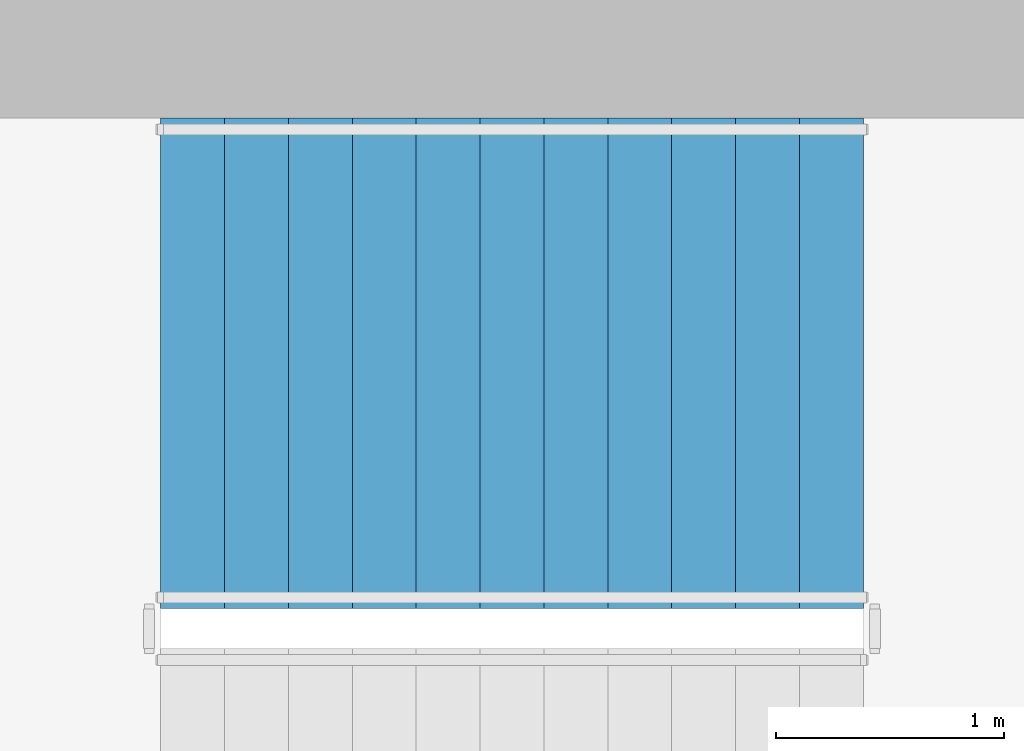
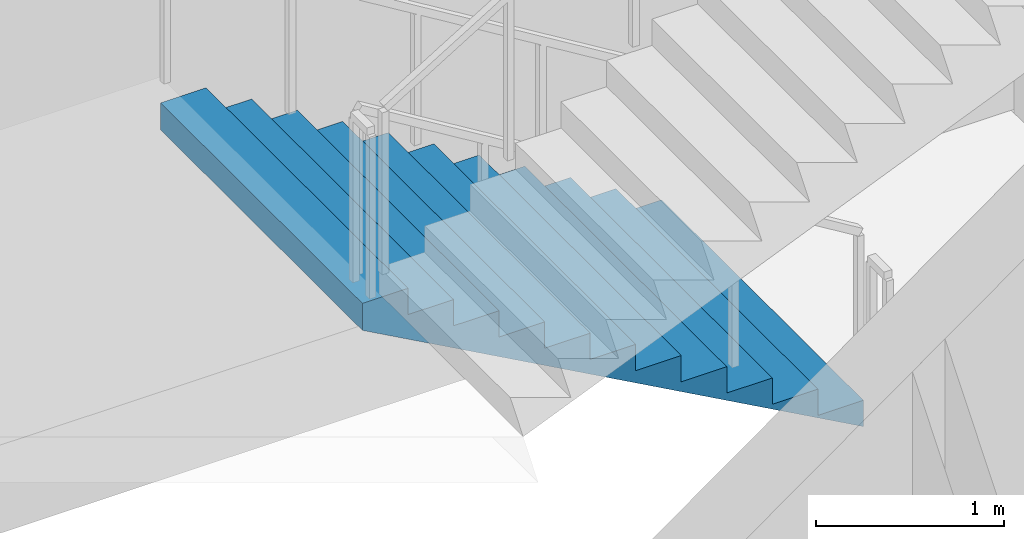
# One storey, part 9 of 14: 1 stair flight, 1 element without a shape of its own.
"""IFC4 building model written with IfcOpenShell, lengths in metres."""

from ifc_helpers import new_model, si_unit, direction, frame, origin, place, context, subcontext, project, spatial, triangles, material, type_object, element, aggregate, save


model = new_model("IFC4")

# Units and contexts
model_context = context("Model", 3, precision=1e-05, world=origin(), true_north=direction((0.0, 1.0)))
body_context = subcontext(model_context, "Body", "Model", "MODEL_VIEW")
ifc_project = project(units=[si_unit("LENGTHUNIT", "METRE"), si_unit("AREAUNIT", "SQUARE_METRE"), si_unit("VOLUMEUNIT", "CUBIC_METRE"), si_unit("PLANEANGLEUNIT", "RADIAN"), si_unit("MASSUNIT", "GRAM", prefix="KILO")], contexts=[model_context])

# Site, building, storey
site_placement = place(None, origin())
site = spatial("IfcSite", under=ifc_project, at=site_placement, CompositionType="ELEMENT")
building_placement = place(site_placement, origin())
building = spatial("IfcBuilding", under=site, at=building_placement, Name="Cypress Arch Tower", CompositionType="ELEMENT")
storey_placement = place(building_placement, frame((0.0, 0.0, 296.699951171875)))
storey = spatial("IfcBuildingStorey", under=building, at=storey_placement, Name="L67", CompositionType="ELEMENT", Elevation=296.699951171875)

# Stair, stair flight
ifc_material_1 = material(Name="Concrete C40/50", Category="concrete")
stair_type = type_object("IfcStairType", Name="Exit stair ES1708-215", PredefinedType="HALF_TURN_STAIR", material=ifc_material_1)
stair_placement = place(storey_placement, origin())
stair = element("IfcStair", 1, at=stair_placement, inside=storey, type_object=stair_type, Name="L67 Exit stair B", PredefinedType="HALF_TURN_STAIR")
ifc_material_2 = material(Name="Concrete C40/50", Category="concrete")
stair_flight_type = type_object("IfcStairFlightType", Name="Exit stair flight ES1708-215", PredefinedType="STRAIGHT", material=ifc_material_2)
stair_flight_placement = place(storey_placement, frame((-22.27490234375, 13.72509765625, 0.0), z_axis=(0.0, 0.0, 1.0), x_axis=(-1.0, 0.0, 0.0)))
stair_flight = element("IfcStairFlight", 2, at=stair_flight_placement, type_object=stair_flight_type, Name="B flight 1", NumberOfRisers=12, NumberOfTreads=11, PredefinedType="STRAIGHT", RiserHeight=0.170833333, TreadLength=0.28, context=body_context, shape_type="Tessellation", body=[
    triangles([(0.0, -1.074951171875, 0.0), (0.000244140625, -1.074951171875, 0.01904296875), (0.000244140625, -1.074951171875, 0.0380859375), (0.00048828125, -1.074951171875, 0.056884765625), (0.00048828125, -1.074951171875, 0.075927734375), (0.00048828125, -1.074951171875, 0.094970703125), (0.00048828125, -1.074951171875, 0.114013671875), (0.000244140625, -1.074951171875, 0.1328125), (0.000244140625, -1.074951171875, 0.15185546875), (0.0, -1.074951171875, 0.1708984375), (0.280029296875, -1.074951171875, 0.1708984375), (0.280029296875, -1.074951171875, 0.341552734375), (0.56005859375, -1.074951171875, 0.341552734375), (0.56005859375, -1.074951171875, 0.512451171875), (0.840087890625, -1.074951171875, 0.512451171875), (0.840087890625, -1.074951171875, 0.683349609375), (1.1201171875, -1.074951171875, 0.683349609375), (1.1201171875, -1.074951171875, 0.854248046875), (1.39990234375, -1.074951171875, 0.854248046875), (1.39990234375, -1.074951171875, 1.02490234375), (1.679931640625, -1.074951171875, 1.02490234375), (1.679931640625, -1.074951171875, 1.19580078125), (1.9599609375, -1.074951171875, 1.19580078125), (1.9599609375, -1.074951171875, 1.36669921875), (2.239990234375, -1.074951171875, 1.36669921875), (2.239990234375, -1.074951171875, 1.53759765625), (2.52001953125, -1.074951171875, 1.53759765625), (2.52001953125, -1.074951171875, 1.708251953125), (2.800048828125, -1.074951171875, 1.708251953125), (2.800048828125, -1.074951171875, 1.879150390625), (3.080078125, -1.074951171875, 1.879150390625), (3.079833984375, -1.074951171875, 1.859619140625), (3.079833984375, -1.074951171875, 1.840087890625), (3.07958984375, -1.074951171875, 1.820556640625), (3.07958984375, -1.074951171875, 1.801025390625), (3.07958984375, -1.074951171875, 1.78173828125), (3.07958984375, -1.074951171875, 1.76220703125), (3.079833984375, -1.074951171875, 1.74267578125), (3.079833984375, -1.074951171875, 1.72314453125), (3.080078125, -1.074951171875, 1.70361328125), (3.080078125, 1.074951171875, 1.70361328125), (3.079833984375, 1.074951171875, 1.72314453125), (3.079833984375, 1.074951171875, 1.74267578125), (3.07958984375, 1.074951171875, 1.76220703125), (3.07958984375, 1.074951171875, 1.78173828125), (3.07958984375, 1.074951171875, 1.801025390625), (3.07958984375, 1.074951171875, 1.820556640625), (3.079833984375, 1.074951171875, 1.840087890625), (3.079833984375, 1.074951171875, 1.859619140625), (3.080078125, 1.074951171875, 1.879150390625), (2.800048828125, 1.074951171875, 1.879150390625), (2.800048828125, 1.074951171875, 1.708251953125), (2.52001953125, 1.074951171875, 1.708251953125), (2.52001953125, 1.074951171875, 1.53759765625), (2.239990234375, 1.074951171875, 1.53759765625), (2.239990234375, 1.074951171875, 1.36669921875), (1.9599609375, 1.074951171875, 1.36669921875), (1.9599609375, 1.074951171875, 1.19580078125), (1.679931640625, 1.074951171875, 1.19580078125), (1.679931640625, 1.074951171875, 1.02490234375), (1.39990234375, 1.074951171875, 1.02490234375), (1.39990234375, 1.074951171875, 0.854248046875), (1.1201171875, 1.074951171875, 0.854248046875), (1.1201171875, 1.074951171875, 0.683349609375), (0.840087890625, 1.074951171875, 0.683349609375), (0.840087890625, 1.074951171875, 0.512451171875), (0.56005859375, 1.074951171875, 0.512451171875), (0.56005859375, 1.074951171875, 0.341552734375), (0.280029296875, 1.074951171875, 0.341552734375), (0.280029296875, 1.074951171875, 0.1708984375), (0.0, 1.074951171875, 0.1708984375), (0.000244140625, 1.074951171875, 0.15185546875), (0.000244140625, 1.074951171875, 0.1328125), (0.00048828125, 1.074951171875, 0.114013671875), (0.00048828125, 1.074951171875, 0.094970703125), (0.00048828125, 1.074951171875, 0.075927734375), (0.00048828125, 1.074951171875, 0.056884765625), (0.000244140625, 1.074951171875, 0.0380859375), (0.000244140625, 1.074951171875, 0.01904296875), (0.0, 1.074951171875, 0.0)], [[40, 39, 30], [39, 38, 30], [38, 37, 30], [37, 36, 30], [36, 35, 30], [35, 34, 30], [34, 33, 30], [33, 32, 30], [32, 31, 30], [19, 18, 17], [27, 26, 25], [25, 24, 23], [23, 22, 21], [17, 16, 15], [15, 14, 13], [10, 9, 11], [9, 8, 11], [8, 7, 11], [7, 6, 11], [6, 5, 11], [5, 4, 11], [4, 3, 11], [3, 2, 11], [2, 1, 11], [29, 28, 27], [21, 20, 19], [13, 12, 11], [40, 30, 29], [40, 29, 27], [40, 27, 25], [40, 25, 23], [40, 23, 21], [40, 21, 19], [40, 19, 17], [40, 17, 15], [40, 15, 13], [1, 40, 13], [13, 11, 1], [41, 51, 42], [42, 51, 43], [43, 51, 44], [44, 51, 45], [45, 51, 46], [46, 51, 47], [47, 51, 48], [48, 51, 49], [49, 51, 50], [62, 64, 63], [54, 56, 55], [56, 58, 57], [58, 60, 59], [64, 66, 65], [66, 68, 67], [71, 70, 72], [72, 70, 73], [73, 70, 74], [74, 70, 75], [75, 70, 76], [76, 70, 77], [77, 70, 78], [78, 70, 79], [79, 70, 80], [52, 54, 53], [60, 62, 61], [68, 70, 69], [41, 52, 51], [41, 54, 52], [41, 56, 54], [41, 58, 56], [41, 60, 58], [41, 62, 60], [41, 64, 62], [41, 66, 64], [41, 68, 66], [80, 68, 41], [68, 80, 70], [41, 42, 39], [41, 39, 40], [42, 43, 38], [42, 38, 39], [43, 44, 37], [43, 37, 38], [44, 45, 36], [44, 36, 37], [45, 46, 35], [45, 35, 36], [46, 47, 34], [46, 34, 35], [47, 48, 33], [47, 33, 34], [48, 49, 32], [48, 32, 33], [49, 50, 31], [49, 31, 32], [50, 51, 30], [50, 30, 31], [51, 52, 29], [51, 29, 30], [52, 53, 28], [52, 28, 29], [53, 54, 27], [53, 27, 28], [54, 55, 26], [54, 26, 27], [55, 56, 25], [55, 25, 26], [56, 57, 24], [56, 24, 25], [57, 58, 23], [57, 23, 24], [58, 59, 22], [58, 22, 23], [59, 60, 21], [59, 21, 22], [60, 61, 20], [60, 20, 21], [61, 62, 19], [61, 19, 20], [62, 63, 18], [62, 18, 19], [63, 64, 17], [63, 17, 18], [64, 65, 16], [64, 16, 17], [65, 66, 15], [65, 15, 16], [66, 67, 14], [66, 14, 15], [67, 68, 13], [67, 13, 14], [68, 69, 12], [68, 12, 13], [69, 70, 11], [69, 11, 12], [70, 71, 10], [70, 10, 11], [71, 72, 9], [71, 9, 10], [72, 73, 8], [72, 8, 9], [73, 74, 7], [73, 7, 8], [74, 75, 6], [74, 6, 7], [75, 76, 5], [75, 5, 6], [76, 77, 4], [76, 4, 5], [77, 78, 3], [77, 3, 4], [78, 79, 2], [78, 2, 3], [79, 80, 1], [79, 1, 2], [80, 41, 40], [80, 40, 1]], closed=True),
])
aggregate(stair, [stair_flight])

save(model, "model.ifc")
